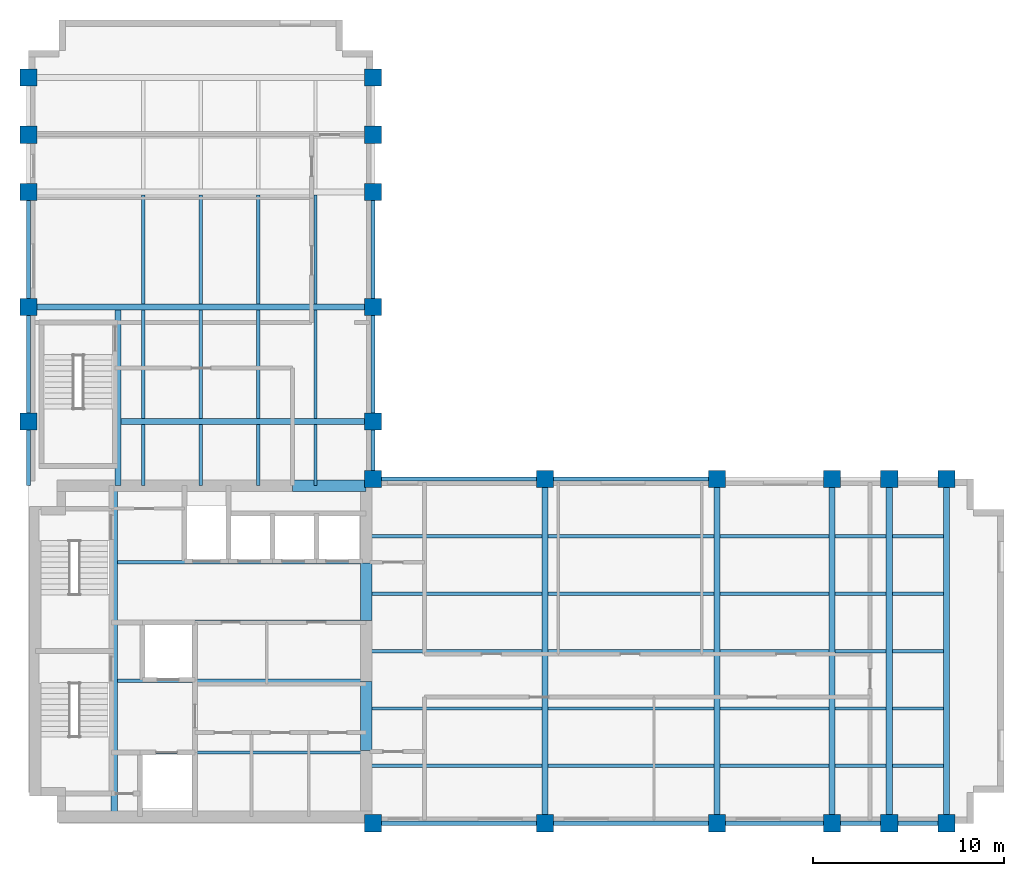
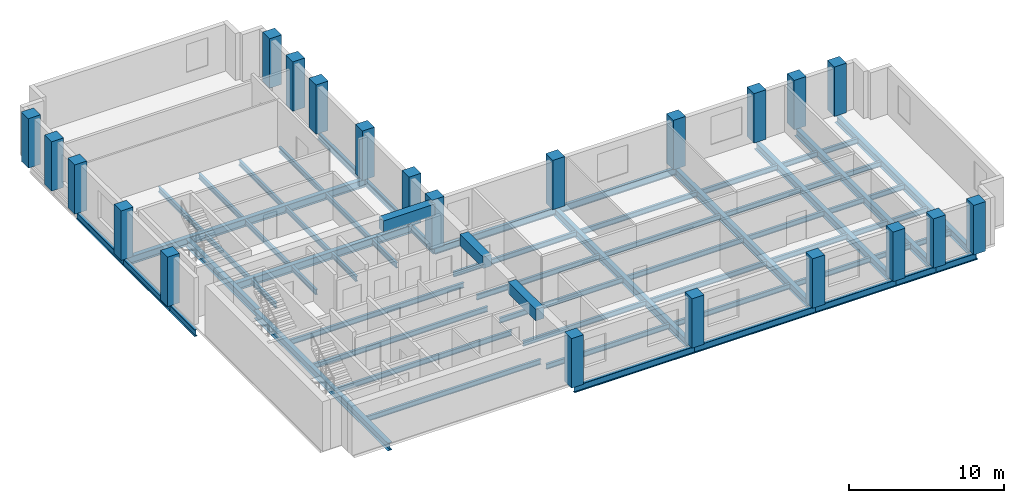
# One storey, part 1 of 6: 66 beams, 22 columns.
"""IFC4 building model written with IfcOpenShell, lengths in metres."""

from ifc_helpers import new_model, si_unit, direction, frame, origin, origin_2d, place, context, subcontext, project, spatial, rectangle, i_section, extrude, material, material_profile, profile_set, type_object, element, save


model = new_model("IFC4")

# Units and contexts
model_context = context("Model", 3, precision=1e-05, world=origin(), true_north=direction((0.0, 1.0)))
body_context = subcontext(model_context, "Body", "Model", "MODEL_VIEW")
ifc_project = project(units=[si_unit("LENGTHUNIT", "METRE"), si_unit("AREAUNIT", "SQUARE_METRE"), si_unit("VOLUMEUNIT", "CUBIC_METRE"), si_unit("PLANEANGLEUNIT", "RADIAN"), si_unit("MASSUNIT", "GRAM", prefix="KILO")], contexts=[model_context])

# Site, building, storey
site_placement = place(None, origin())
site = spatial("IfcSite", under=ifc_project, at=site_placement, CompositionType="ELEMENT")
building_placement = place(site_placement, origin())
building = spatial("IfcBuilding", under=site, at=building_placement, Name="Mawjdan Bourse Tower", CompositionType="ELEMENT")
storey_placement = place(building_placement, frame((0.0, 0.0, 176.10009765625)))
storey = spatial("IfcBuildingStorey", under=building, at=storey_placement, Name="L42", CompositionType="ELEMENT", Elevation=176.10009765625)

# Columns
ifc_material_1 = material(Name="Concrete C70/85", Category="concrete")
ifc_material_profile_1 = material_profile(ifc_material_1, rectangle(XDim=0.89990234375, YDim=0.89990234375, at=origin_2d()), Name="RC900X900")
ifc_profile_set_1 = profile_set([ifc_material_profile_1], Name="Concrete C70/85")
column_type = type_object("IfcColumnType", Name="COL-RC900X900", PredefinedType="COLUMN", material=ifc_profile_set_1)
for number, where, z_axis, x_axis, name in (
    (1, (24.0, 3.0, 0.0), (0.0, 0.0, 1.0), (1.0, 0.0, 0.0), "L42 Structural Column C-X240-Y30"),
    (2, (24.0, 21.0, 0.0), (0.0, 0.0, 1.0), (1.0, 0.0, 0.0), "L42 Structural Column C-X240-Y210"),
    (3, (33.0, 3.0, 0.0), (0.0, 0.0, 1.0), (1.0, 0.0, 0.0), "L42 Structural Column C-X330-Y30"),
    (4, (33.0, 21.0, 0.0), (0.0, 0.0, 1.0), (1.0, 0.0, 0.0), "L42 Structural Column C-X330-Y210"),
    (5, (42.0, 3.0, 0.0), (0.0, 0.0, 1.0), (1.0, 0.0, 0.0), "L42 Structural Column C-X420-Y30"),
    (6, (42.0, 21.0, 0.0), (0.0, 0.0, 1.0), (1.0, 0.0, 0.0), "L42 Structural Column C-X420-Y210"),
    (7, (48.0, 3.0, 0.0), (0.0, 0.0, 1.0), (1.0, 0.0, 0.0), "L42 Structural Column C-X480-Y30"),
    (8, (48.0, 21.0, 0.0), (0.0, 0.0, 1.0), (1.0, 0.0, 0.0), "L42 Structural Column C-X480-Y210"),
    (9, (51.0, 3.0, 0.0), (0.0, 0.0, 1.0), (1.0, 0.0, 0.0), "L42 Structural Column C-X510-Y30"),
    (10, (51.0, 21.0, 0.0), (0.0, 0.0, 1.0), (1.0, 0.0, 0.0), "L42 Structural Column C-X510-Y210"),
    (11, (54.0, 3.0, 0.0), (0.0, 0.0, 1.0), (1.0, 0.0, 0.0), "L42 Structural Column C-X540-Y30"),
    (12, (54.0, 21.0, 0.0), (0.0, 0.0, 1.0), (1.0, 0.0, 0.0), "L42 Structural Column C-X540-Y210"),
    (13, (6.0, 24.0, 0.0), (0.0, 0.0, 1.0), (1.0, 0.0, 0.0), "L42 Structural Column C-X60-Y240"),
    (14, (24.0, 24.0, 0.0), (0.0, 0.0, 1.0), (1.0, 0.0, 0.0), "L42 Structural Column C-X240-Y240"),
    (15, (6.0, 30.0, 0.0), (0.0, 0.0, 1.0), (1.0, 0.0, 0.0), "L42 Structural Column C-X60-Y300"),
    (16, (24.0, 30.0, 0.0), (0.0, 0.0, 1.0), (1.0, 0.0, 0.0), "L42 Structural Column C-X240-Y300"),
    (17, (6.0, 36.0, 0.0), (0.0, 0.0, 1.0), (1.0, 0.0, 0.0), "L42 Structural Column C-X60-Y360"),
    (18, (24.0, 36.0, 0.0), (0.0, 0.0, 1.0), (1.0, 0.0, 0.0), "L42 Structural Column C-X240-Y360"),
    (19, (6.0, 39.0, 0.0), (0.0, 0.0, 1.0), (1.0, 0.0, 0.0), "L42 Structural Column C-X60-Y390"),
    (20, (24.0, 39.0, 0.0), (0.0, 0.0, 1.0), (1.0, 0.0, 0.0), "L42 Structural Column C-X240-Y390"),
    (21, (6.0, 42.0, 0.0), (0.0, 0.0, 1.0), (1.0, 0.0, 0.0), "L42 Structural Column C-X60-Y420"),
    (22, (24.0, 42.0, 0.0), (0.0, 0.0, 1.0), (1.0, 0.0, 0.0), "L42 Structural Column C-X240-Y420"),
):
    element("IfcColumn", number, at=place(storey_placement, frame(where, z_axis=z_axis, x_axis=x_axis)), inside=storey, type_object=column_type, Name=name, PredefinedType="COLUMN", context=body_context, shape_type="SweptSolid", body=[
        extrude(rectangle(XDim=0.89990234375, YDim=0.89990234375, at=origin_2d()), origin(), (0.0, 0.0, 1.0), 3.89990234375),
    ])

# Beams
ifc_material_2 = material(Name="Structural Steel S355", Category="steel")
ifc_material_profile_2 = material_profile(ifc_material_2, i_section(OverallWidth=0.324951171875, OverallDepth=0.616943359375, WebThickness=0.013916015625, FlangeThickness=0.021484375, FilletRadius=0.017333984375, at=origin_2d()), Name="W24X117")
ifc_profile_set_2 = profile_set([ifc_material_profile_2], Name="Structural Steel S355")
beam_type_1 = type_object("IfcBeamType", Name="GRD-W24X117", PredefinedType="BEAM", material=ifc_profile_set_2)
beam_1_placement = place(storey_placement, frame((10.47998046875, 3.35009765625, -0.508544921875), z_axis=(0.0, 1.0, 0.0), x_axis=(-1.0, 0.0, 0.0)))
element("IfcBeam", 23, at=beam_1_placement, inside=storey, type_object=beam_type_1, Name="L42 Core Stair Trimmer Girder 001", PredefinedType="BEAM", context=body_context, shape_type="SweptSolid", body=[
    extrude(i_section(OverallWidth=0.324951171875, OverallDepth=0.616943359375, WebThickness=0.013916015625, FlangeThickness=0.021484375, FilletRadius=0.017333984375, at=origin_2d()), origin(), (0.0, 0.0, 1.0), 17.2998046875),
])
for number, where, z_axis, x_axis, name in (
    (24, (33.0, 3.0, -0.508544921875), (0.0, 1.0, 0.0), (-1.0, 0.0, 0.0), "L42 East Wing Clear-Span Girder 002"),
    (25, (42.0, 3.0, -0.508544921875), (0.0, 1.0, 0.0), (-1.0, 0.0, 0.0), "L42 East Wing Clear-Span Girder 003"),
    (26, (48.0, 3.0, -0.508544921875), (0.0, 1.0, 0.0), (-1.0, 0.0, 0.0), "L42 East Wing Clear-Span Girder 004"),
    (27, (51.0, 3.0, -0.508544921875), (0.0, 1.0, 0.0), (-1.0, 0.0, 0.0), "L42 East Wing Clear-Span Girder 005"),
    (28, (54.0, 3.0, -0.508544921875), (0.0, 1.0, 0.0), (-1.0, 0.0, 0.0), "L42 East Wing Clear-Span Girder 006"),
):
    element("IfcBeam", number, at=place(storey_placement, frame(where, z_axis=z_axis, x_axis=x_axis)), inside=storey, type_object=beam_type_1, Name=name, PredefinedType="BEAM", context=body_context, shape_type="SweptSolid", body=[
        extrude(i_section(OverallWidth=0.324951171875, OverallDepth=0.616943359375, WebThickness=0.013916015625, FlangeThickness=0.021484375, FilletRadius=0.017333984375, at=origin_2d()), origin(), (0.0, 0.0, 1.0), 18.0),
    ])
beam_2_placement = place(storey_placement, frame((10.679931640625, 20.64990234375, -0.508544921875), z_axis=(0.0, 1.0, 0.0), x_axis=(-1.0, 0.0, 0.0)))
element("IfcBeam", 29, at=beam_2_placement, inside=storey, type_object=beam_type_1, Name="L42 North Wing Stair Trimmer Girder 046", PredefinedType="BEAM", context=body_context, shape_type="SweptSolid", body=[
    extrude(i_section(OverallWidth=0.324951171875, OverallDepth=0.616943359375, WebThickness=0.013916015625, FlangeThickness=0.021484375, FilletRadius=0.017333984375, at=origin_2d()), origin(), (0.0, 0.0, 1.0), 9.189697265625),
])
beam_3_placement = place(storey_placement, frame((10.840576171875, 24.0, -0.508544921875), z_axis=(1.0, 0.0, 0.0), x_axis=(0.0, 1.0, 0.0)))
element("IfcBeam", 30, at=beam_3_placement, inside=storey, type_object=beam_type_1, Name="L42 North Wing Clear-Span Girder 047", PredefinedType="BEAM", context=body_context, shape_type="SweptSolid", body=[
    extrude(i_section(OverallWidth=0.324951171875, OverallDepth=0.616943359375, WebThickness=0.013916015625, FlangeThickness=0.021484375, FilletRadius=0.017333984375, at=origin_2d()), origin(), (0.0, 0.0, 1.0), 13.159423828125),
])
beam_4_placement = place(storey_placement, frame((6.0, 30.0, -0.508544921875), z_axis=(1.0, 0.0, 0.0), x_axis=(0.0, 1.0, 0.0)))
element("IfcBeam", 31, at=beam_4_placement, inside=storey, type_object=beam_type_1, Name="L42 North Wing Clear-Span Girder 048", PredefinedType="BEAM", context=body_context, shape_type="SweptSolid", body=[
    extrude(i_section(OverallWidth=0.324951171875, OverallDepth=0.616943359375, WebThickness=0.013916015625, FlangeThickness=0.021484375, FilletRadius=0.017333984375, at=origin_2d()), origin(), (0.0, 0.0, 1.0), 18.0),
])
ifc_material_profile_3 = material_profile(ifc_material_2, i_section(OverallWidth=0.177978515625, OverallDepth=0.406982421875, WebThickness=0.0078125, FlangeThickness=0.0126953125, FilletRadius=0.01025390625, at=origin_2d()), Name="W16X40")
ifc_profile_set_3 = profile_set([ifc_material_profile_3], Name="Structural Steel S355")
beam_type_2 = type_object("IfcBeamType", Name="JST-W16X40", PredefinedType="JOIST", material=ifc_profile_set_3)
beam_5_placement = place(storey_placement, frame((23.64990234375, 6.0, -0.403564453125), z_axis=(1.0, 0.0, 0.0), x_axis=(0.0, 1.0, 0.0)))
element("IfcBeam", 32, at=beam_5_placement, inside=storey, type_object=beam_type_2, Name="L42 East Wing Composite Joist 017", PredefinedType="JOIST", context=body_context, shape_type="SweptSolid", body=[
    extrude(i_section(OverallWidth=0.177978515625, OverallDepth=0.406982421875, WebThickness=0.0078125, FlangeThickness=0.0126953125, FilletRadius=0.01025390625, at=origin_2d()), origin(), (0.0, 0.0, 1.0), 9.189697265625),
])
beam_6_placement = place(storey_placement, frame((33.160400390625, 6.0, -0.403564453125), z_axis=(1.0, 0.0, 0.0), x_axis=(0.0, 1.0, 0.0)))
element("IfcBeam", 33, at=beam_6_placement, inside=storey, type_object=beam_type_2, Name="L42 East Wing Composite Joist 018", PredefinedType="JOIST", context=body_context, shape_type="SweptSolid", body=[
    extrude(i_section(OverallWidth=0.177978515625, OverallDepth=0.406982421875, WebThickness=0.0078125, FlangeThickness=0.0126953125, FilletRadius=0.01025390625, at=origin_2d()), origin(), (0.0, 0.0, 1.0), 8.67919921875),
])
beam_7_placement = place(storey_placement, frame((42.160400390625, 6.0, -0.403564453125), z_axis=(1.0, 0.0, 0.0), x_axis=(0.0, 1.0, 0.0)))
element("IfcBeam", 34, at=beam_7_placement, inside=storey, type_object=beam_type_2, Name="L42 East Wing Composite Joist 019", PredefinedType="JOIST", context=body_context, shape_type="SweptSolid", body=[
    extrude(i_section(OverallWidth=0.177978515625, OverallDepth=0.406982421875, WebThickness=0.0078125, FlangeThickness=0.0126953125, FilletRadius=0.01025390625, at=origin_2d()), origin(), (0.0, 0.0, 1.0), 5.67919921875),
])
for number, where, z_axis, x_axis, name in (
    (35, (48.160400390625, 6.0, -0.403564453125), (1.0, 0.0, 0.0), (0.0, 1.0, 0.0), "L42 East Wing Composite Joist 020"),
    (36, (51.160400390625, 6.0, -0.403564453125), (1.0, 0.0, 0.0), (0.0, 1.0, 0.0), "L42 East Wing Composite Joist 021"),
):
    element("IfcBeam", number, at=place(storey_placement, frame(where, z_axis=z_axis, x_axis=x_axis)), inside=storey, type_object=beam_type_2, Name=name, PredefinedType="JOIST", context=body_context, shape_type="SweptSolid", body=[
        extrude(i_section(OverallWidth=0.177978515625, OverallDepth=0.406982421875, WebThickness=0.0078125, FlangeThickness=0.0126953125, FilletRadius=0.01025390625, at=origin_2d()), origin(), (0.0, 0.0, 1.0), 2.67919921875),
    ])
beam_8_placement = place(storey_placement, frame((23.64990234375, 9.0, -0.403564453125), z_axis=(1.0, 0.0, 0.0), x_axis=(0.0, 1.0, 0.0)))
element("IfcBeam", 37, at=beam_8_placement, inside=storey, type_object=beam_type_2, Name="L42 East Wing Composite Joist 022", PredefinedType="JOIST", context=body_context, shape_type="SweptSolid", body=[
    extrude(i_section(OverallWidth=0.177978515625, OverallDepth=0.406982421875, WebThickness=0.0078125, FlangeThickness=0.0126953125, FilletRadius=0.01025390625, at=origin_2d()), origin(), (0.0, 0.0, 1.0), 9.189697265625),
])
beam_9_placement = place(storey_placement, frame((33.160400390625, 9.0, -0.403564453125), z_axis=(1.0, 0.0, 0.0), x_axis=(0.0, 1.0, 0.0)))
element("IfcBeam", 38, at=beam_9_placement, inside=storey, type_object=beam_type_2, Name="L42 East Wing Composite Joist 023", PredefinedType="JOIST", context=body_context, shape_type="SweptSolid", body=[
    extrude(i_section(OverallWidth=0.177978515625, OverallDepth=0.406982421875, WebThickness=0.0078125, FlangeThickness=0.0126953125, FilletRadius=0.01025390625, at=origin_2d()), origin(), (0.0, 0.0, 1.0), 8.67919921875),
])
beam_10_placement = place(storey_placement, frame((42.160400390625, 9.0, -0.403564453125), z_axis=(1.0, 0.0, 0.0), x_axis=(0.0, 1.0, 0.0)))
element("IfcBeam", 39, at=beam_10_placement, inside=storey, type_object=beam_type_2, Name="L42 East Wing Composite Joist 024", PredefinedType="JOIST", context=body_context, shape_type="SweptSolid", body=[
    extrude(i_section(OverallWidth=0.177978515625, OverallDepth=0.406982421875, WebThickness=0.0078125, FlangeThickness=0.0126953125, FilletRadius=0.01025390625, at=origin_2d()), origin(), (0.0, 0.0, 1.0), 5.67919921875),
])
for number, where, z_axis, x_axis, name in (
    (40, (48.160400390625, 9.0, -0.403564453125), (1.0, 0.0, 0.0), (0.0, 1.0, 0.0), "L42 East Wing Composite Joist 025"),
    (41, (51.160400390625, 9.0, -0.403564453125), (1.0, 0.0, 0.0), (0.0, 1.0, 0.0), "L42 East Wing Composite Joist 026"),
):
    element("IfcBeam", number, at=place(storey_placement, frame(where, z_axis=z_axis, x_axis=x_axis)), inside=storey, type_object=beam_type_2, Name=name, PredefinedType="JOIST", context=body_context, shape_type="SweptSolid", body=[
        extrude(i_section(OverallWidth=0.177978515625, OverallDepth=0.406982421875, WebThickness=0.0078125, FlangeThickness=0.0126953125, FilletRadius=0.01025390625, at=origin_2d()), origin(), (0.0, 0.0, 1.0), 2.67919921875),
    ])
beam_11_placement = place(storey_placement, frame((23.64990234375, 12.0, -0.403564453125), z_axis=(1.0, 0.0, 0.0), x_axis=(0.0, 1.0, 0.0)))
element("IfcBeam", 42, at=beam_11_placement, inside=storey, type_object=beam_type_2, Name="L42 East Wing Composite Joist 027", PredefinedType="JOIST", context=body_context, shape_type="SweptSolid", body=[
    extrude(i_section(OverallWidth=0.177978515625, OverallDepth=0.406982421875, WebThickness=0.0078125, FlangeThickness=0.0126953125, FilletRadius=0.01025390625, at=origin_2d()), origin(), (0.0, 0.0, 1.0), 9.189697265625),
])
beam_12_placement = place(storey_placement, frame((33.160400390625, 12.0, -0.403564453125), z_axis=(1.0, 0.0, 0.0), x_axis=(0.0, 1.0, 0.0)))
element("IfcBeam", 43, at=beam_12_placement, inside=storey, type_object=beam_type_2, Name="L42 East Wing Composite Joist 028", PredefinedType="JOIST", context=body_context, shape_type="SweptSolid", body=[
    extrude(i_section(OverallWidth=0.177978515625, OverallDepth=0.406982421875, WebThickness=0.0078125, FlangeThickness=0.0126953125, FilletRadius=0.01025390625, at=origin_2d()), origin(), (0.0, 0.0, 1.0), 8.67919921875),
])
beam_13_placement = place(storey_placement, frame((42.160400390625, 12.0, -0.403564453125), z_axis=(1.0, 0.0, 0.0), x_axis=(0.0, 1.0, 0.0)))
element("IfcBeam", 44, at=beam_13_placement, inside=storey, type_object=beam_type_2, Name="L42 East Wing Composite Joist 029", PredefinedType="JOIST", context=body_context, shape_type="SweptSolid", body=[
    extrude(i_section(OverallWidth=0.177978515625, OverallDepth=0.406982421875, WebThickness=0.0078125, FlangeThickness=0.0126953125, FilletRadius=0.01025390625, at=origin_2d()), origin(), (0.0, 0.0, 1.0), 5.67919921875),
])
for number, where, z_axis, x_axis, name in (
    (45, (48.160400390625, 12.0, -0.403564453125), (1.0, 0.0, 0.0), (0.0, 1.0, 0.0), "L42 East Wing Composite Joist 030"),
    (46, (51.160400390625, 12.0, -0.403564453125), (1.0, 0.0, 0.0), (0.0, 1.0, 0.0), "L42 East Wing Composite Joist 031"),
):
    element("IfcBeam", number, at=place(storey_placement, frame(where, z_axis=z_axis, x_axis=x_axis)), inside=storey, type_object=beam_type_2, Name=name, PredefinedType="JOIST", context=body_context, shape_type="SweptSolid", body=[
        extrude(i_section(OverallWidth=0.177978515625, OverallDepth=0.406982421875, WebThickness=0.0078125, FlangeThickness=0.0126953125, FilletRadius=0.01025390625, at=origin_2d()), origin(), (0.0, 0.0, 1.0), 2.67919921875),
    ])
beam_14_placement = place(storey_placement, frame((23.64990234375, 15.0, -0.403564453125), z_axis=(1.0, 0.0, 0.0), x_axis=(0.0, 1.0, 0.0)))
element("IfcBeam", 47, at=beam_14_placement, inside=storey, type_object=beam_type_2, Name="L42 East Wing Composite Joist 032", PredefinedType="JOIST", context=body_context, shape_type="SweptSolid", body=[
    extrude(i_section(OverallWidth=0.177978515625, OverallDepth=0.406982421875, WebThickness=0.0078125, FlangeThickness=0.0126953125, FilletRadius=0.01025390625, at=origin_2d()), origin(), (0.0, 0.0, 1.0), 9.189697265625),
])
beam_15_placement = place(storey_placement, frame((33.160400390625, 15.0, -0.403564453125), z_axis=(1.0, 0.0, 0.0), x_axis=(0.0, 1.0, 0.0)))
element("IfcBeam", 48, at=beam_15_placement, inside=storey, type_object=beam_type_2, Name="L42 East Wing Composite Joist 033", PredefinedType="JOIST", context=body_context, shape_type="SweptSolid", body=[
    extrude(i_section(OverallWidth=0.177978515625, OverallDepth=0.406982421875, WebThickness=0.0078125, FlangeThickness=0.0126953125, FilletRadius=0.01025390625, at=origin_2d()), origin(), (0.0, 0.0, 1.0), 8.67919921875),
])
beam_16_placement = place(storey_placement, frame((42.160400390625, 15.0, -0.403564453125), z_axis=(1.0, 0.0, 0.0), x_axis=(0.0, 1.0, 0.0)))
element("IfcBeam", 49, at=beam_16_placement, inside=storey, type_object=beam_type_2, Name="L42 East Wing Composite Joist 034", PredefinedType="JOIST", context=body_context, shape_type="SweptSolid", body=[
    extrude(i_section(OverallWidth=0.177978515625, OverallDepth=0.406982421875, WebThickness=0.0078125, FlangeThickness=0.0126953125, FilletRadius=0.01025390625, at=origin_2d()), origin(), (0.0, 0.0, 1.0), 5.67919921875),
])
for number, where, z_axis, x_axis, name in (
    (50, (48.160400390625, 15.0, -0.403564453125), (1.0, 0.0, 0.0), (0.0, 1.0, 0.0), "L42 East Wing Composite Joist 035"),
    (51, (51.160400390625, 15.0, -0.403564453125), (1.0, 0.0, 0.0), (0.0, 1.0, 0.0), "L42 East Wing Composite Joist 036"),
):
    element("IfcBeam", number, at=place(storey_placement, frame(where, z_axis=z_axis, x_axis=x_axis)), inside=storey, type_object=beam_type_2, Name=name, PredefinedType="JOIST", context=body_context, shape_type="SweptSolid", body=[
        extrude(i_section(OverallWidth=0.177978515625, OverallDepth=0.406982421875, WebThickness=0.0078125, FlangeThickness=0.0126953125, FilletRadius=0.01025390625, at=origin_2d()), origin(), (0.0, 0.0, 1.0), 2.67919921875),
    ])
beam_17_placement = place(storey_placement, frame((23.64990234375, 18.0, -0.403564453125), z_axis=(1.0, 0.0, 0.0), x_axis=(0.0, 1.0, 0.0)))
element("IfcBeam", 52, at=beam_17_placement, inside=storey, type_object=beam_type_2, Name="L42 East Wing Composite Joist 037", PredefinedType="JOIST", context=body_context, shape_type="SweptSolid", body=[
    extrude(i_section(OverallWidth=0.177978515625, OverallDepth=0.406982421875, WebThickness=0.0078125, FlangeThickness=0.0126953125, FilletRadius=0.01025390625, at=origin_2d()), origin(), (0.0, 0.0, 1.0), 9.189697265625),
])
beam_18_placement = place(storey_placement, frame((33.160400390625, 18.0, -0.403564453125), z_axis=(1.0, 0.0, 0.0), x_axis=(0.0, 1.0, 0.0)))
element("IfcBeam", 53, at=beam_18_placement, inside=storey, type_object=beam_type_2, Name="L42 East Wing Composite Joist 038", PredefinedType="JOIST", context=body_context, shape_type="SweptSolid", body=[
    extrude(i_section(OverallWidth=0.177978515625, OverallDepth=0.406982421875, WebThickness=0.0078125, FlangeThickness=0.0126953125, FilletRadius=0.01025390625, at=origin_2d()), origin(), (0.0, 0.0, 1.0), 8.67919921875),
])
beam_19_placement = place(storey_placement, frame((42.160400390625, 18.0, -0.403564453125), z_axis=(1.0, 0.0, 0.0), x_axis=(0.0, 1.0, 0.0)))
element("IfcBeam", 54, at=beam_19_placement, inside=storey, type_object=beam_type_2, Name="L42 East Wing Composite Joist 039", PredefinedType="JOIST", context=body_context, shape_type="SweptSolid", body=[
    extrude(i_section(OverallWidth=0.177978515625, OverallDepth=0.406982421875, WebThickness=0.0078125, FlangeThickness=0.0126953125, FilletRadius=0.01025390625, at=origin_2d()), origin(), (0.0, 0.0, 1.0), 5.67919921875),
])
for number, where, z_axis, x_axis, name in (
    (55, (48.160400390625, 18.0, -0.403564453125), (1.0, 0.0, 0.0), (0.0, 1.0, 0.0), "L42 East Wing Composite Joist 040"),
    (56, (51.160400390625, 18.0, -0.403564453125), (1.0, 0.0, 0.0), (0.0, 1.0, 0.0), "L42 East Wing Composite Joist 041"),
):
    element("IfcBeam", number, at=place(storey_placement, frame(where, z_axis=z_axis, x_axis=x_axis)), inside=storey, type_object=beam_type_2, Name=name, PredefinedType="JOIST", context=body_context, shape_type="SweptSolid", body=[
        extrude(i_section(OverallWidth=0.177978515625, OverallDepth=0.406982421875, WebThickness=0.0078125, FlangeThickness=0.0126953125, FilletRadius=0.01025390625, at=origin_2d()), origin(), (0.0, 0.0, 1.0), 2.67919921875),
    ])
for number, where, z_axis, x_axis, name in (
    (57, (10.640380859375, 6.699951171875, -0.403564453125), (1.0, 0.0, 0.0), (0.0, 1.0, 0.0), "L42 Core Floor Joist 042"),
    (58, (10.640380859375, 10.449951171875, -0.403564453125), (1.0, 0.0, 0.0), (0.0, 1.0, 0.0), "L42 Core Floor Joist 043"),
    (59, (10.640380859375, 13.550048828125, -0.403564453125), (1.0, 0.0, 0.0), (0.0, 1.0, 0.0), "L42 Core Floor Joist 044"),
    (60, (10.640380859375, 16.64990234375, -0.403564453125), (1.0, 0.0, 0.0), (0.0, 1.0, 0.0), "L42 Core Floor Joist 045"),
):
    element("IfcBeam", number, at=place(storey_placement, frame(where, z_axis=z_axis, x_axis=x_axis)), inside=storey, type_object=beam_type_2, Name=name, PredefinedType="JOIST", context=body_context, shape_type="SweptSolid", body=[
        extrude(i_section(OverallWidth=0.177978515625, OverallDepth=0.406982421875, WebThickness=0.0078125, FlangeThickness=0.0126953125, FilletRadius=0.01025390625, at=origin_2d()), origin(), (0.0, 0.0, 1.0), 13.009521484375),
    ])
beam_20_placement = place(storey_placement, frame((12.0, 20.64990234375, -0.403564453125), z_axis=(0.0, 1.0, 0.0), x_axis=(-1.0, 0.0, 0.0)))
element("IfcBeam", 61, at=beam_20_placement, inside=storey, type_object=beam_type_2, Name="L42 North Wing Composite Joist 062", PredefinedType="JOIST", context=body_context, shape_type="SweptSolid", body=[
    extrude(i_section(OverallWidth=0.177978515625, OverallDepth=0.406982421875, WebThickness=0.0078125, FlangeThickness=0.0126953125, FilletRadius=0.01025390625, at=origin_2d()), origin(), (0.0, 0.0, 1.0), 3.189697265625),
])
for number, where, z_axis, x_axis, name in (
    (62, (12.0, 24.160400390625, -0.403564453125), (0.0, 1.0, 0.0), (-1.0, 0.0, 0.0), "L42 North Wing Composite Joist 063"),
    (63, (12.0, 30.160400390625, -0.403564453125), (0.0, 1.0, 0.0), (-1.0, 0.0, 0.0), "L42 North Wing Composite Joist 064"),
):
    element("IfcBeam", number, at=place(storey_placement, frame(where, z_axis=z_axis, x_axis=x_axis)), inside=storey, type_object=beam_type_2, Name=name, PredefinedType="JOIST", context=body_context, shape_type="SweptSolid", body=[
        extrude(i_section(OverallWidth=0.177978515625, OverallDepth=0.406982421875, WebThickness=0.0078125, FlangeThickness=0.0126953125, FilletRadius=0.01025390625, at=origin_2d()), origin(), (0.0, 0.0, 1.0), 5.67919921875),
    ])
beam_21_placement = place(storey_placement, frame((15.0, 20.64990234375, -0.403564453125), z_axis=(0.0, 1.0, 0.0), x_axis=(-1.0, 0.0, 0.0)))
element("IfcBeam", 64, at=beam_21_placement, inside=storey, type_object=beam_type_2, Name="L42 North Wing Composite Joist 067", PredefinedType="JOIST", context=body_context, shape_type="SweptSolid", body=[
    extrude(i_section(OverallWidth=0.177978515625, OverallDepth=0.406982421875, WebThickness=0.0078125, FlangeThickness=0.0126953125, FilletRadius=0.01025390625, at=origin_2d()), origin(), (0.0, 0.0, 1.0), 3.189697265625),
])
for number, where, z_axis, x_axis, name in (
    (65, (15.0, 24.160400390625, -0.403564453125), (0.0, 1.0, 0.0), (-1.0, 0.0, 0.0), "L42 North Wing Composite Joist 068"),
    (66, (15.0, 30.160400390625, -0.403564453125), (0.0, 1.0, 0.0), (-1.0, 0.0, 0.0), "L42 North Wing Composite Joist 069"),
):
    element("IfcBeam", number, at=place(storey_placement, frame(where, z_axis=z_axis, x_axis=x_axis)), inside=storey, type_object=beam_type_2, Name=name, PredefinedType="JOIST", context=body_context, shape_type="SweptSolid", body=[
        extrude(i_section(OverallWidth=0.177978515625, OverallDepth=0.406982421875, WebThickness=0.0078125, FlangeThickness=0.0126953125, FilletRadius=0.01025390625, at=origin_2d()), origin(), (0.0, 0.0, 1.0), 5.67919921875),
    ])
beam_22_placement = place(storey_placement, frame((18.0, 20.64990234375, -0.403564453125), z_axis=(0.0, 1.0, 0.0), x_axis=(-1.0, 0.0, 0.0)))
element("IfcBeam", 67, at=beam_22_placement, inside=storey, type_object=beam_type_2, Name="L42 North Wing Composite Joist 072", PredefinedType="JOIST", context=body_context, shape_type="SweptSolid", body=[
    extrude(i_section(OverallWidth=0.177978515625, OverallDepth=0.406982421875, WebThickness=0.0078125, FlangeThickness=0.0126953125, FilletRadius=0.01025390625, at=origin_2d()), origin(), (0.0, 0.0, 1.0), 3.189697265625),
])
for number, where, z_axis, x_axis, name in (
    (68, (18.0, 24.160400390625, -0.403564453125), (0.0, 1.0, 0.0), (-1.0, 0.0, 0.0), "L42 North Wing Composite Joist 073"),
    (69, (18.0, 30.160400390625, -0.403564453125), (0.0, 1.0, 0.0), (-1.0, 0.0, 0.0), "L42 North Wing Composite Joist 074"),
):
    element("IfcBeam", number, at=place(storey_placement, frame(where, z_axis=z_axis, x_axis=x_axis)), inside=storey, type_object=beam_type_2, Name=name, PredefinedType="JOIST", context=body_context, shape_type="SweptSolid", body=[
        extrude(i_section(OverallWidth=0.177978515625, OverallDepth=0.406982421875, WebThickness=0.0078125, FlangeThickness=0.0126953125, FilletRadius=0.01025390625, at=origin_2d()), origin(), (0.0, 0.0, 1.0), 5.67919921875),
    ])
beam_23_placement = place(storey_placement, frame((21.0, 20.64990234375, -0.403564453125), z_axis=(0.0, 1.0, 0.0), x_axis=(-1.0, 0.0, 0.0)))
element("IfcBeam", 70, at=beam_23_placement, inside=storey, type_object=beam_type_2, Name="L42 North Wing Composite Joist 077", PredefinedType="JOIST", context=body_context, shape_type="SweptSolid", body=[
    extrude(i_section(OverallWidth=0.177978515625, OverallDepth=0.406982421875, WebThickness=0.0078125, FlangeThickness=0.0126953125, FilletRadius=0.01025390625, at=origin_2d()), origin(), (0.0, 0.0, 1.0), 3.189697265625),
])
for number, where, z_axis, x_axis, name in (
    (71, (21.0, 24.160400390625, -0.403564453125), (0.0, 1.0, 0.0), (-1.0, 0.0, 0.0), "L42 North Wing Composite Joist 078"),
    (72, (21.0, 30.160400390625, -0.403564453125), (0.0, 1.0, 0.0), (-1.0, 0.0, 0.0), "L42 North Wing Composite Joist 079"),
):
    element("IfcBeam", number, at=place(storey_placement, frame(where, z_axis=z_axis, x_axis=x_axis)), inside=storey, type_object=beam_type_2, Name=name, PredefinedType="JOIST", context=body_context, shape_type="SweptSolid", body=[
        extrude(i_section(OverallWidth=0.177978515625, OverallDepth=0.406982421875, WebThickness=0.0078125, FlangeThickness=0.0126953125, FilletRadius=0.01025390625, at=origin_2d()), origin(), (0.0, 0.0, 1.0), 5.67919921875),
    ])
ifc_material_profile_4 = material_profile(ifc_material_1, rectangle(XDim=0.60009765625, YDim=0.89990234375, at=origin_2d()), Name="RCB600X900")
ifc_profile_set_4 = profile_set([ifc_material_profile_4], Name="Concrete C70/85")
beam_type_3 = type_object("IfcBeamType", Name="LNT-RCB600X900", PredefinedType="LINTEL", material=ifc_profile_set_4)
beam_24_placement = place(storey_placement, frame((23.64990234375, 6.800048828125, 3.25), z_axis=(0.0, 1.0, 0.0), x_axis=(-1.0, 0.0, 0.0)))
element("IfcBeam", 73, at=beam_24_placement, inside=storey, type_object=beam_type_3, Name="L42 Coupled Core Lintel CB-E1", PredefinedType="LINTEL", context=body_context, shape_type="SweptSolid", body=[
    extrude(rectangle(XDim=0.60009765625, YDim=0.89990234375, at=origin_2d()), origin(), (0.0, 0.0, 1.0), 3.599853515625),
])
beam_25_placement = place(storey_placement, frame((23.64990234375, 13.60009765625, 3.25), z_axis=(0.0, 1.0, 0.0), x_axis=(-1.0, 0.0, 0.0)))
element("IfcBeam", 74, at=beam_25_placement, inside=storey, type_object=beam_type_3, Name="L42 Coupled Core Lintel CB-E2", PredefinedType="LINTEL", context=body_context, shape_type="SweptSolid", body=[
    extrude(rectangle(XDim=0.60009765625, YDim=0.89990234375, at=origin_2d()), origin(), (0.0, 0.0, 1.0), 3.0),
])
beam_26_placement = place(storey_placement, frame((19.800048828125, 20.64990234375, 3.25), z_axis=(1.0, 0.0, 0.0), x_axis=(0.0, 1.0, 0.0)))
element("IfcBeam", 75, at=beam_26_placement, inside=storey, type_object=beam_type_3, Name="L42 Coupled Core Lintel CB-N1", PredefinedType="LINTEL", context=body_context, shape_type="SweptSolid", body=[
    extrude(rectangle(XDim=0.60009765625, YDim=0.89990234375, at=origin_2d()), origin(), (0.0, 0.0, 1.0), 3.849853515625),
])
ifc_material_profile_5 = material_profile(ifc_material_2, i_section(OverallWidth=0.2119140625, OverallDepth=0.5439453125, WebThickness=0.01318359375, FlangeThickness=0.021240234375, FilletRadius=0.01708984375, at=origin_2d()), Name="W21X83")
ifc_profile_set_5 = profile_set([ifc_material_profile_5], Name="Structural Steel S355")
beam_type_4 = type_object("IfcBeamType", Name="SPN-W21X83", PredefinedType="SPANDREL", material=ifc_profile_set_5)
for number, where, z_axis, x_axis, name in (
    (76, (24.0, 3.0, -0.47216796875), (1.0, 0.0, 0.0), (0.0, 1.0, 0.0), "L42 Perimeter Masonry-Shelf Spandrel 007"),
    (77, (33.0, 3.0, -0.47216796875), (1.0, 0.0, 0.0), (0.0, 1.0, 0.0), "L42 Perimeter Masonry-Shelf Spandrel 008"),
):
    element("IfcBeam", number, at=place(storey_placement, frame(where, z_axis=z_axis, x_axis=x_axis)), inside=storey, type_object=beam_type_4, Name=name, PredefinedType="SPANDREL", context=body_context, shape_type="SweptSolid", body=[
        extrude(i_section(OverallWidth=0.2119140625, OverallDepth=0.5439453125, WebThickness=0.01318359375, FlangeThickness=0.021240234375, FilletRadius=0.01708984375, at=origin_2d()), origin(), (0.0, 0.0, 1.0), 9.0),
    ])
beam_27_placement = place(storey_placement, frame((42.0, 3.0, -0.47216796875), z_axis=(1.0, 0.0, 0.0), x_axis=(0.0, 1.0, 0.0)))
element("IfcBeam", 78, at=beam_27_placement, inside=storey, type_object=beam_type_4, Name="L42 Perimeter Masonry-Shelf Spandrel 009", PredefinedType="SPANDREL", context=body_context, shape_type="SweptSolid", body=[
    extrude(i_section(OverallWidth=0.2119140625, OverallDepth=0.5439453125, WebThickness=0.01318359375, FlangeThickness=0.021240234375, FilletRadius=0.01708984375, at=origin_2d()), origin(), (0.0, 0.0, 1.0), 6.0),
])
for number, where, z_axis, x_axis, name in (
    (79, (48.0, 3.0, -0.47216796875), (1.0, 0.0, 0.0), (0.0, 1.0, 0.0), "L42 Perimeter Masonry-Shelf Spandrel 010"),
    (80, (51.0, 3.0, -0.47216796875), (1.0, 0.0, 0.0), (0.0, 1.0, 0.0), "L42 Perimeter Masonry-Shelf Spandrel 011"),
):
    element("IfcBeam", number, at=place(storey_placement, frame(where, z_axis=z_axis, x_axis=x_axis)), inside=storey, type_object=beam_type_4, Name=name, PredefinedType="SPANDREL", context=body_context, shape_type="SweptSolid", body=[
        extrude(i_section(OverallWidth=0.2119140625, OverallDepth=0.5439453125, WebThickness=0.01318359375, FlangeThickness=0.021240234375, FilletRadius=0.01708984375, at=origin_2d()), origin(), (0.0, 0.0, 1.0), 3.0),
    ])
for number, where, z_axis, x_axis, name in (
    (81, (24.0, 21.0, -0.47216796875), (1.0, 0.0, 0.0), (0.0, 1.0, 0.0), "L42 Perimeter Masonry-Shelf Spandrel 012"),
    (82, (33.0, 21.0, -0.47216796875), (1.0, 0.0, 0.0), (0.0, 1.0, 0.0), "L42 Perimeter Masonry-Shelf Spandrel 013"),
):
    element("IfcBeam", number, at=place(storey_placement, frame(where, z_axis=z_axis, x_axis=x_axis)), inside=storey, type_object=beam_type_4, Name=name, PredefinedType="SPANDREL", context=body_context, shape_type="SweptSolid", body=[
        extrude(i_section(OverallWidth=0.2119140625, OverallDepth=0.5439453125, WebThickness=0.01318359375, FlangeThickness=0.021240234375, FilletRadius=0.01708984375, at=origin_2d()), origin(), (0.0, 0.0, 1.0), 9.0),
    ])
beam_28_placement = place(storey_placement, frame((6.0, 20.64990234375, -0.47216796875), z_axis=(0.0, 1.0, 0.0), x_axis=(-1.0, 0.0, 0.0)))
element("IfcBeam", 83, at=beam_28_placement, inside=storey, type_object=beam_type_4, Name="L42 North Wing Spandrel 052", PredefinedType="SPANDREL", context=body_context, shape_type="SweptSolid", body=[
    extrude(i_section(OverallWidth=0.2119140625, OverallDepth=0.5439453125, WebThickness=0.01318359375, FlangeThickness=0.021240234375, FilletRadius=0.01708984375, at=origin_2d()), origin(), (0.0, 0.0, 1.0), 3.35009765625),
])
for number, where, z_axis, x_axis, name in (
    (84, (6.0, 24.0, -0.47216796875), (0.0, 1.0, 0.0), (-1.0, 0.0, 0.0), "L42 North Wing Spandrel 053"),
    (85, (6.0, 30.0, -0.47216796875), (0.0, 1.0, 0.0), (-1.0, 0.0, 0.0), "L42 North Wing Spandrel 054"),
):
    element("IfcBeam", number, at=place(storey_placement, frame(where, z_axis=z_axis, x_axis=x_axis)), inside=storey, type_object=beam_type_4, Name=name, PredefinedType="SPANDREL", context=body_context, shape_type="SweptSolid", body=[
        extrude(i_section(OverallWidth=0.2119140625, OverallDepth=0.5439453125, WebThickness=0.01318359375, FlangeThickness=0.021240234375, FilletRadius=0.01708984375, at=origin_2d()), origin(), (0.0, 0.0, 1.0), 6.0),
    ])
beam_29_placement = place(storey_placement, frame((24.0, 21.0, -0.47216796875), z_axis=(0.0, 1.0, 0.0), x_axis=(-1.0, 0.0, 0.0)))
element("IfcBeam", 86, at=beam_29_placement, inside=storey, type_object=beam_type_4, Name="L42 North Wing Spandrel 057", PredefinedType="SPANDREL", context=body_context, shape_type="SweptSolid", body=[
    extrude(i_section(OverallWidth=0.2119140625, OverallDepth=0.5439453125, WebThickness=0.01318359375, FlangeThickness=0.021240234375, FilletRadius=0.01708984375, at=origin_2d()), origin(), (0.0, 0.0, 1.0), 3.0),
])
for number, where, z_axis, x_axis, name in (
    (87, (24.0, 24.0, -0.47216796875), (0.0, 1.0, 0.0), (-1.0, 0.0, 0.0), "L42 North Wing Spandrel 058"),
    (88, (24.0, 30.0, -0.47216796875), (0.0, 1.0, 0.0), (-1.0, 0.0, 0.0), "L42 North Wing Spandrel 059"),
):
    element("IfcBeam", number, at=place(storey_placement, frame(where, z_axis=z_axis, x_axis=x_axis)), inside=storey, type_object=beam_type_4, Name=name, PredefinedType="SPANDREL", context=body_context, shape_type="SweptSolid", body=[
        extrude(i_section(OverallWidth=0.2119140625, OverallDepth=0.5439453125, WebThickness=0.01318359375, FlangeThickness=0.021240234375, FilletRadius=0.01708984375, at=origin_2d()), origin(), (0.0, 0.0, 1.0), 6.0),
    ])

save(model, "model.ifc")
